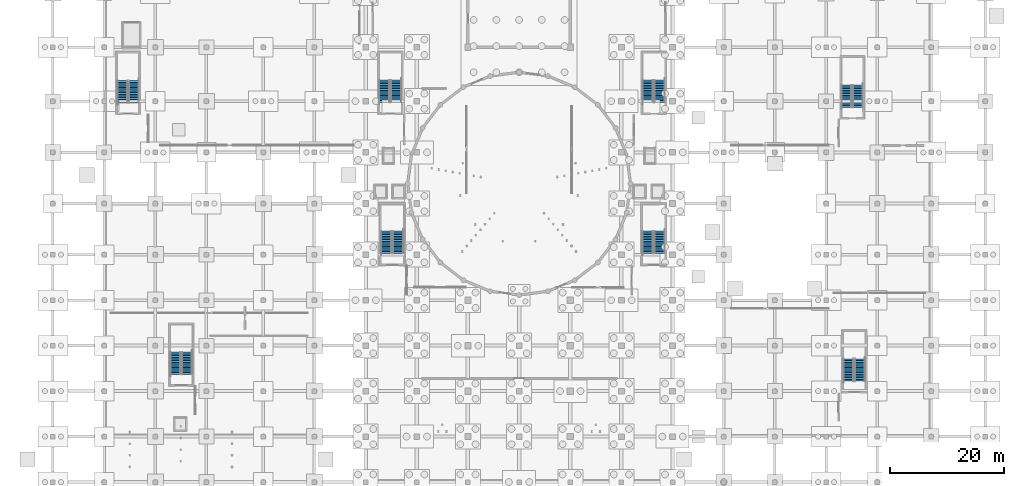
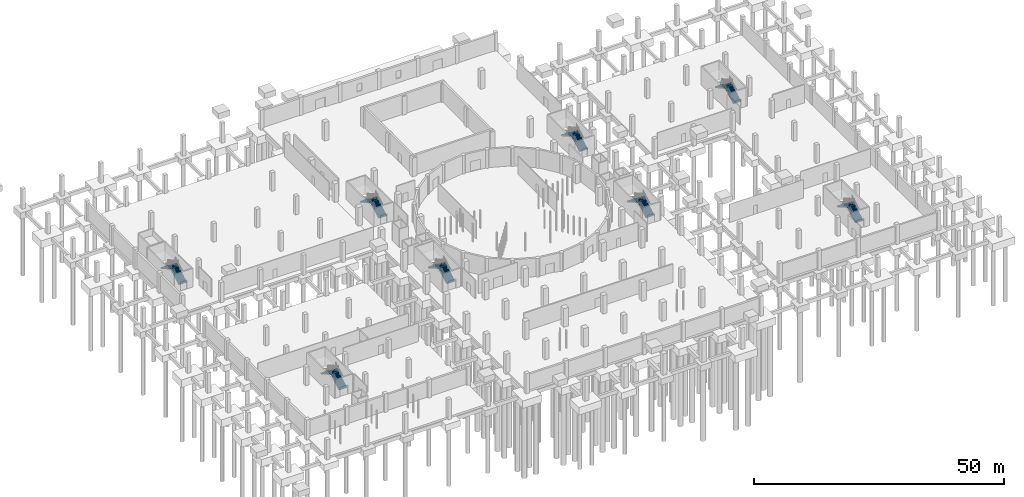
# One storey, part 33 of 40: 16 stair flights, 8 elements without a shape of their own.
"""IFC4 building model written with IfcOpenShell, lengths in metres."""

from ifc_helpers import new_model, si_unit, direction, frame, origin, place, context, subcontext, project, spatial, polyline, outline, extrude, material, type_object, element, aggregate, save


model = new_model("IFC4")

# Units and contexts
model_context = context("Model", 3, precision=1e-05, world=origin(), true_north=direction((0.0, 1.0)))
body_context = subcontext(model_context, "Body", "Model", "MODEL_VIEW")
ifc_project = project(units=[si_unit("LENGTHUNIT", "METRE"), si_unit("AREAUNIT", "SQUARE_METRE"), si_unit("VOLUMEUNIT", "CUBIC_METRE"), si_unit("PLANEANGLEUNIT", "RADIAN"), si_unit("MASSUNIT", "GRAM", prefix="KILO")], contexts=[model_context])

# Site, building, storey
site_placement = place(None, origin())
site = spatial("IfcSite", under=ifc_project, at=site_placement, CompositionType="ELEMENT")
building_placement = place(site_placement, origin())
building = spatial("IfcBuilding", under=site, at=building_placement, Name="Marnock Terrace Opera House", CompositionType="ELEMENT")
storey_placement = place(building_placement, frame((0.0, 0.0, -4.800048828125)))
storey = spatial("IfcBuildingStorey", under=building, at=storey_placement, Name="B1", CompositionType="ELEMENT", Elevation=-4.800048828125)

# Stair, stair flights
ifc_material = material(Name="Concrete N40 (f'c = 40 MPa)", Category="concrete")
stair_type_1 = type_object("IfcStairType", Name="ST-TYPE-2000", PredefinedType="HALF_TURN_STAIR", material=ifc_material)
stair_1_placement = place(storey_placement, origin())
stair_1 = element("IfcStair", 1, at=stair_1_placement, inside=storey, type_object=stair_type_1, Name="B1 ST-07", PredefinedType="HALF_TURN_STAIR")
stair_flight_type_1 = type_object("IfcStairFlightType", Name="FLT-TYPE-2000", PredefinedType="STRAIGHT", material=ifc_material)
stair_flight_1_placement = place(storey_placement, frame((14.219970703125, 74.719970703125, 0.0), z_axis=(0.0, 0.0, 1.0), x_axis=(0.0, 1.0, 0.0)))
stair_flight_1 = element("IfcStairFlight", 2, at=stair_flight_1_placement, type_object=stair_flight_type_1, Name="ST-07 flight 1", NumberOfRisers=14, NumberOfTreads=13, PredefinedType="STRAIGHT", RiserHeight=0.171428571, TreadLength=0.3, context=body_context, shape_type="SweptSolid", body=[
    extrude(outline(polyline([(-0.00048828125, -0.06005859375), (-0.00048828125, 0.0), (0.0, 0.0), (0.0, 0.17138671875), (0.300048828125, 0.17138671875), (0.300048828125, 0.3427734375), (0.60009765625, 0.3427734375), (0.60009765625, 0.514404296875), (0.89990234375, 0.514404296875), (0.89990234375, 0.685791015625), (1.199951171875, 0.685791015625), (1.199951171875, 0.857177734375), (1.5, 0.857177734375), (1.5, 1.028564453125), (1.800048828125, 1.028564453125), (1.800048828125, 1.199951171875), (2.10009765625, 1.199951171875), (2.10009765625, 1.371337890625), (2.39990234375, 1.371337890625), (2.39990234375, 1.54296875), (2.699951171875, 1.54296875), (2.699951171875, 1.71435546875), (3.0, 1.71435546875), (3.0, 1.8857421875), (3.300048828125, 1.8857421875), (3.300048828125, 2.05712890625), (3.60009765625, 2.05712890625), (3.60009765625, 2.228515625), (3.89990234375, 2.228515625), (3.89990234375, 2.39990234375), (3.900390625, 2.39990234375), (3.900390625, 2.055908203125), (3.89990234375, 2.055908203125), (0.30224609375, -0.06005859375), (-0.00048828125, -0.06005859375)])), frame((0.0, 0.89990234375, 0.0), z_axis=(0.0, -1.0, 0.0), x_axis=(1.0, 0.0, 0.0)), (0.0, 0.0, 1.0), 1.800048828125),
])
stair_flight_2_placement = place(storey_placement, frame((12.219970703125, 78.6201171875, 2.400146484375), z_axis=(0.0, 0.0, 1.0), x_axis=(0.0, -1.0, 0.0)))
stair_flight_2 = element("IfcStairFlight", 3, at=stair_flight_2_placement, type_object=stair_flight_type_1, Name="ST-07 flight 2", NumberOfRisers=14, NumberOfTreads=13, PredefinedType="STRAIGHT", RiserHeight=0.171428571, TreadLength=0.3, context=body_context, shape_type="SweptSolid", body=[
    extrude(outline(polyline([(-0.00048828125, -0.06005859375), (-0.00048828125, 0.0), (0.0, 0.0), (0.0, 0.17138671875), (0.300048828125, 0.17138671875), (0.300048828125, 0.3427734375), (0.60009765625, 0.3427734375), (0.60009765625, 0.514404296875), (0.89990234375, 0.514404296875), (0.89990234375, 0.685791015625), (1.199951171875, 0.685791015625), (1.199951171875, 0.857177734375), (1.5, 0.857177734375), (1.5, 1.028564453125), (1.800048828125, 1.028564453125), (1.800048828125, 1.199951171875), (2.10009765625, 1.199951171875), (2.10009765625, 1.371337890625), (2.39990234375, 1.371337890625), (2.39990234375, 1.54296875), (2.699951171875, 1.54296875), (2.699951171875, 1.71435546875), (3.0, 1.71435546875), (3.0, 1.8857421875), (3.300048828125, 1.8857421875), (3.300048828125, 2.05712890625), (3.60009765625, 2.05712890625), (3.60009765625, 2.228515625), (3.89990234375, 2.228515625), (3.89990234375, 2.39990234375), (3.900390625, 2.39990234375), (3.900390625, 2.055908203125), (3.89990234375, 2.055908203125), (0.30224609375, -0.06005859375), (-0.00048828125, -0.06005859375)])), frame((0.0, 0.89990234375, 0.0), z_axis=(0.0, -1.0, 0.0), x_axis=(1.0, 0.0, 0.0)), (0.0, 0.0, 1.0), 1.800048828125),
])
aggregate(stair_1, [stair_flight_1, stair_flight_2])

stair_2_placement = place(storey_placement, origin())
stair_2 = element("IfcStair", 4, at=stair_2_placement, inside=storey, type_object=stair_type_1, Name="B1 ST-08", PredefinedType="HALF_TURN_STAIR")
stair_flight_3_placement = place(storey_placement, frame((141.6201171875, 73.919921875, 0.0), z_axis=(0.0, 0.0, 1.0), x_axis=(0.0, 1.0, 0.0)))
stair_flight_3 = element("IfcStairFlight", 5, at=stair_flight_3_placement, type_object=stair_flight_type_1, Name="ST-08 flight 1", NumberOfRisers=14, NumberOfTreads=13, PredefinedType="STRAIGHT", RiserHeight=0.171428571, TreadLength=0.3, context=body_context, shape_type="SweptSolid", body=[
    extrude(outline(polyline([(-0.00048828125, -0.06005859375), (-0.00048828125, 0.0), (0.0, 0.0), (0.0, 0.17138671875), (0.300048828125, 0.17138671875), (0.300048828125, 0.3427734375), (0.60009765625, 0.3427734375), (0.60009765625, 0.514404296875), (0.89990234375, 0.514404296875), (0.89990234375, 0.685791015625), (1.199951171875, 0.685791015625), (1.199951171875, 0.857177734375), (1.5, 0.857177734375), (1.5, 1.028564453125), (1.800048828125, 1.028564453125), (1.800048828125, 1.199951171875), (2.10009765625, 1.199951171875), (2.10009765625, 1.371337890625), (2.39990234375, 1.371337890625), (2.39990234375, 1.54296875), (2.699951171875, 1.54296875), (2.699951171875, 1.71435546875), (3.0, 1.71435546875), (3.0, 1.8857421875), (3.300048828125, 1.8857421875), (3.300048828125, 2.05712890625), (3.60009765625, 2.05712890625), (3.60009765625, 2.228515625), (3.89990234375, 2.228515625), (3.89990234375, 2.39990234375), (3.900390625, 2.39990234375), (3.900390625, 2.055908203125), (3.89990234375, 2.055908203125), (0.30224609375, -0.06005859375), (-0.00048828125, -0.06005859375)])), frame((0.0, 0.89990234375, 0.0), z_axis=(0.0, -1.0, 0.0), x_axis=(1.0, 0.0, 0.0)), (0.0, 0.0, 1.0), 1.800048828125),
])
stair_flight_4_placement = place(storey_placement, frame((139.6201171875, 77.820068359375, 2.400146484375), z_axis=(0.0, 0.0, 1.0), x_axis=(0.0, -1.0, 0.0)))
stair_flight_4 = element("IfcStairFlight", 6, at=stair_flight_4_placement, type_object=stair_flight_type_1, Name="ST-08 flight 2", NumberOfRisers=14, NumberOfTreads=13, PredefinedType="STRAIGHT", RiserHeight=0.171428571, TreadLength=0.3, context=body_context, shape_type="SweptSolid", body=[
    extrude(outline(polyline([(-0.00048828125, -0.06005859375), (-0.00048828125, 0.0), (0.0, 0.0), (0.0, 0.17138671875), (0.300048828125, 0.17138671875), (0.300048828125, 0.3427734375), (0.60009765625, 0.3427734375), (0.60009765625, 0.514404296875), (0.89990234375, 0.514404296875), (0.89990234375, 0.685791015625), (1.199951171875, 0.685791015625), (1.199951171875, 0.857177734375), (1.5, 0.857177734375), (1.5, 1.028564453125), (1.800048828125, 1.028564453125), (1.800048828125, 1.199951171875), (2.10009765625, 1.199951171875), (2.10009765625, 1.371337890625), (2.39990234375, 1.371337890625), (2.39990234375, 1.54296875), (2.699951171875, 1.54296875), (2.699951171875, 1.71435546875), (3.0, 1.71435546875), (3.0, 1.8857421875), (3.300048828125, 1.8857421875), (3.300048828125, 2.05712890625), (3.60009765625, 2.05712890625), (3.60009765625, 2.228515625), (3.89990234375, 2.228515625), (3.89990234375, 2.39990234375), (3.900390625, 2.39990234375), (3.900390625, 2.055908203125), (3.89990234375, 2.055908203125), (0.30224609375, -0.06005859375), (-0.00048828125, -0.06005859375)])), frame((0.0, 0.89990234375, 0.0), z_axis=(0.0, -1.0, 0.0), x_axis=(1.0, 0.0, 0.0)), (0.0, 0.0, 1.0), 1.800048828125),
])
aggregate(stair_2, [stair_flight_3, stair_flight_4])

stair_type_2 = type_object("IfcStairType", Name="ST-TYPE-2200", PredefinedType="HALF_TURN_STAIR", material=ifc_material)
stair_3_placement = place(storey_placement, origin())
stair_3 = element("IfcStair", 7, at=stair_3_placement, inside=storey, type_object=stair_type_2, Name="B1 ST-05", PredefinedType="HALF_TURN_STAIR")
stair_flight_type_2 = type_object("IfcStairFlightType", Name="FLT-TYPE-2200", PredefinedType="STRAIGHT", material=ifc_material)
stair_flight_5_placement = place(storey_placement, frame((23.60009765625, 26.9599609375, 0.0), z_axis=(0.0, 0.0, 1.0), x_axis=(0.0, 1.0, 0.0)))
stair_flight_5 = element("IfcStairFlight", 8, at=stair_flight_5_placement, type_object=stair_flight_type_2, Name="ST-05 flight 1", NumberOfRisers=14, NumberOfTreads=13, PredefinedType="STRAIGHT", RiserHeight=0.171428571, TreadLength=0.3, context=body_context, shape_type="SweptSolid", body=[
    extrude(outline(polyline([(-0.00048828125, -0.06005859375), (-0.00048828125, 0.0), (0.0, 0.0), (0.0, 0.17138671875), (0.300048828125, 0.17138671875), (0.300048828125, 0.3427734375), (0.60009765625, 0.3427734375), (0.60009765625, 0.514404296875), (0.89990234375, 0.514404296875), (0.89990234375, 0.685791015625), (1.199951171875, 0.685791015625), (1.199951171875, 0.857177734375), (1.5, 0.857177734375), (1.5, 1.028564453125), (1.800048828125, 1.028564453125), (1.800048828125, 1.199951171875), (2.10009765625, 1.199951171875), (2.10009765625, 1.371337890625), (2.39990234375, 1.371337890625), (2.39990234375, 1.54296875), (2.699951171875, 1.54296875), (2.699951171875, 1.71435546875), (3.0, 1.71435546875), (3.0, 1.8857421875), (3.300048828125, 1.8857421875), (3.300048828125, 2.05712890625), (3.60009765625, 2.05712890625), (3.60009765625, 2.228515625), (3.89990234375, 2.228515625), (3.89990234375, 2.39990234375), (3.900390625, 2.39990234375), (3.900390625, 2.055908203125), (3.89990234375, 2.055908203125), (0.30224609375, -0.06005859375), (-0.00048828125, -0.06005859375)])), frame((0.0, 0.919921875, 0.0), z_axis=(0.0, -1.0, 0.0), x_axis=(1.0, 0.0, 0.0)), (0.0, 0.0, 1.0), 1.840087890625),
])
stair_flight_6_placement = place(storey_placement, frame((21.56005859375, 30.860107421875, 2.400146484375), z_axis=(0.0, 0.0, 1.0), x_axis=(0.0, -1.0, 0.0)))
stair_flight_6 = element("IfcStairFlight", 9, at=stair_flight_6_placement, type_object=stair_flight_type_2, Name="ST-05 flight 2", NumberOfRisers=14, NumberOfTreads=13, PredefinedType="STRAIGHT", RiserHeight=0.171428571, TreadLength=0.3, context=body_context, shape_type="SweptSolid", body=[
    extrude(outline(polyline([(-0.00048828125, -0.06005859375), (-0.00048828125, 0.0), (0.0, 0.0), (0.0, 0.17138671875), (0.300048828125, 0.17138671875), (0.300048828125, 0.3427734375), (0.60009765625, 0.3427734375), (0.60009765625, 0.514404296875), (0.89990234375, 0.514404296875), (0.89990234375, 0.685791015625), (1.199951171875, 0.685791015625), (1.199951171875, 0.857177734375), (1.5, 0.857177734375), (1.5, 1.028564453125), (1.800048828125, 1.028564453125), (1.800048828125, 1.199951171875), (2.10009765625, 1.199951171875), (2.10009765625, 1.371337890625), (2.39990234375, 1.371337890625), (2.39990234375, 1.54296875), (2.699951171875, 1.54296875), (2.699951171875, 1.71435546875), (3.0, 1.71435546875), (3.0, 1.8857421875), (3.300048828125, 1.8857421875), (3.300048828125, 2.05712890625), (3.60009765625, 2.05712890625), (3.60009765625, 2.228515625), (3.89990234375, 2.228515625), (3.89990234375, 2.39990234375), (3.900390625, 2.39990234375), (3.900390625, 2.055908203125), (3.89990234375, 2.055908203125), (0.30224609375, -0.06005859375), (-0.00048828125, -0.06005859375)])), frame((0.0, 0.919921875, 0.0), z_axis=(0.0, -1.0, 0.0), x_axis=(1.0, 0.0, 0.0)), (0.0, 0.0, 1.0), 1.840087890625),
])
aggregate(stair_3, [stair_flight_5, stair_flight_6])

stair_4_placement = place(storey_placement, origin())
stair_4 = element("IfcStair", 10, at=stair_4_placement, inside=storey, type_object=stair_type_2, Name="B1 ST-06", PredefinedType="HALF_TURN_STAIR")
stair_flight_7_placement = place(storey_placement, frame((142.0, 25.760009765625, 0.0), z_axis=(0.0, 0.0, 1.0), x_axis=(0.0, 1.0, 0.0)))
stair_flight_7 = element("IfcStairFlight", 11, at=stair_flight_7_placement, type_object=stair_flight_type_2, Name="ST-06 flight 1", NumberOfRisers=14, NumberOfTreads=13, PredefinedType="STRAIGHT", RiserHeight=0.171428571, TreadLength=0.3, context=body_context, shape_type="SweptSolid", body=[
    extrude(outline(polyline([(-0.00048828125, -0.06005859375), (-0.00048828125, 0.0), (0.0, 0.0), (0.0, 0.17138671875), (0.300048828125, 0.17138671875), (0.300048828125, 0.3427734375), (0.60009765625, 0.3427734375), (0.60009765625, 0.514404296875), (0.89990234375, 0.514404296875), (0.89990234375, 0.685791015625), (1.199951171875, 0.685791015625), (1.199951171875, 0.857177734375), (1.5, 0.857177734375), (1.5, 1.028564453125), (1.800048828125, 1.028564453125), (1.800048828125, 1.199951171875), (2.10009765625, 1.199951171875), (2.10009765625, 1.371337890625), (2.39990234375, 1.371337890625), (2.39990234375, 1.54296875), (2.699951171875, 1.54296875), (2.699951171875, 1.71435546875), (3.0, 1.71435546875), (3.0, 1.8857421875), (3.300048828125, 1.8857421875), (3.300048828125, 2.05712890625), (3.60009765625, 2.05712890625), (3.60009765625, 2.228515625), (3.89990234375, 2.228515625), (3.89990234375, 2.39990234375), (3.900390625, 2.39990234375), (3.900390625, 2.055908203125), (3.89990234375, 2.055908203125), (0.30224609375, -0.06005859375), (-0.00048828125, -0.06005859375)])), frame((0.0, 0.919921875, 0.0), z_axis=(0.0, -1.0, 0.0), x_axis=(1.0, 0.0, 0.0)), (0.0, 0.0, 1.0), 1.840087890625),
])
stair_flight_8_placement = place(storey_placement, frame((139.9599609375, 29.659912109375, 2.400146484375), z_axis=(0.0, 0.0, 1.0), x_axis=(0.0, -1.0, 0.0)))
stair_flight_8 = element("IfcStairFlight", 12, at=stair_flight_8_placement, type_object=stair_flight_type_2, Name="ST-06 flight 2", NumberOfRisers=14, NumberOfTreads=13, PredefinedType="STRAIGHT", RiserHeight=0.171428571, TreadLength=0.3, context=body_context, shape_type="SweptSolid", body=[
    extrude(outline(polyline([(-0.00048828125, -0.06005859375), (-0.00048828125, 0.0), (0.0, 0.0), (0.0, 0.17138671875), (0.300048828125, 0.17138671875), (0.300048828125, 0.3427734375), (0.60009765625, 0.3427734375), (0.60009765625, 0.514404296875), (0.89990234375, 0.514404296875), (0.89990234375, 0.685791015625), (1.199951171875, 0.685791015625), (1.199951171875, 0.857177734375), (1.5, 0.857177734375), (1.5, 1.028564453125), (1.800048828125, 1.028564453125), (1.800048828125, 1.199951171875), (2.10009765625, 1.199951171875), (2.10009765625, 1.371337890625), (2.39990234375, 1.371337890625), (2.39990234375, 1.54296875), (2.699951171875, 1.54296875), (2.699951171875, 1.71435546875), (3.0, 1.71435546875), (3.0, 1.8857421875), (3.300048828125, 1.8857421875), (3.300048828125, 2.05712890625), (3.60009765625, 2.05712890625), (3.60009765625, 2.228515625), (3.89990234375, 2.228515625), (3.89990234375, 2.39990234375), (3.900390625, 2.39990234375), (3.900390625, 2.055908203125), (3.89990234375, 2.055908203125), (0.30224609375, -0.06005859375), (-0.00048828125, -0.06005859375)])), frame((0.0, 0.919921875, 0.0), z_axis=(0.0, -1.0, 0.0), x_axis=(1.0, 0.0, 0.0)), (0.0, 0.0, 1.0), 1.840087890625),
])
aggregate(stair_4, [stair_flight_7, stair_flight_8])

stair_type_3 = type_object("IfcStairType", Name="ST-TYPE-2400", PredefinedType="HALF_TURN_STAIR", material=ifc_material)
stair_5_placement = place(storey_placement, origin())
stair_5 = element("IfcStair", 13, at=stair_5_placement, inside=storey, type_object=stair_type_3, Name="B1 ST-03", PredefinedType="HALF_TURN_STAIR")
stair_flight_type_3 = type_object("IfcStairFlightType", Name="FLT-TYPE-2400", PredefinedType="STRAIGHT", material=ifc_material)
stair_flight_9_placement = place(storey_placement, frame((60.3798828125, 74.800048828125, 0.0), z_axis=(0.0, 0.0, 1.0), x_axis=(0.0, 1.0, 0.0)))
stair_flight_9 = element("IfcStairFlight", 14, at=stair_flight_9_placement, type_object=stair_flight_type_3, Name="ST-03 flight 1", NumberOfRisers=14, NumberOfTreads=13, PredefinedType="STRAIGHT", RiserHeight=0.171428571, TreadLength=0.3, context=body_context, shape_type="SweptSolid", body=[
    extrude(outline(polyline([(-0.00048828125, -0.06005859375), (-0.00048828125, 0.0), (0.0, 0.0), (0.0, 0.17138671875), (0.300048828125, 0.17138671875), (0.300048828125, 0.3427734375), (0.60009765625, 0.3427734375), (0.60009765625, 0.514404296875), (0.89990234375, 0.514404296875), (0.89990234375, 0.685791015625), (1.199951171875, 0.685791015625), (1.199951171875, 0.857177734375), (1.5, 0.857177734375), (1.5, 1.028564453125), (1.800048828125, 1.028564453125), (1.800048828125, 1.199951171875), (2.10009765625, 1.199951171875), (2.10009765625, 1.371337890625), (2.39990234375, 1.371337890625), (2.39990234375, 1.54296875), (2.699951171875, 1.54296875), (2.699951171875, 1.71435546875), (3.0, 1.71435546875), (3.0, 1.8857421875), (3.300048828125, 1.8857421875), (3.300048828125, 2.05712890625), (3.60009765625, 2.05712890625), (3.60009765625, 2.228515625), (3.89990234375, 2.228515625), (3.89990234375, 2.39990234375), (3.900390625, 2.39990234375), (3.900390625, 2.055908203125), (3.89990234375, 2.055908203125), (0.30224609375, -0.06005859375), (-0.00048828125, -0.06005859375)])), frame((0.0, 0.93994140625, 0.0), z_axis=(0.0, -1.0, 0.0), x_axis=(1.0, 0.0, 0.0)), (0.0, 0.0, 1.0), 1.8798828125),
])
stair_flight_10_placement = place(storey_placement, frame((58.300048828125, 78.699951171875, 2.400146484375), z_axis=(0.0, 0.0, 1.0), x_axis=(0.0, -1.0, 0.0)))
stair_flight_10 = element("IfcStairFlight", 15, at=stair_flight_10_placement, type_object=stair_flight_type_3, Name="ST-03 flight 2", NumberOfRisers=14, NumberOfTreads=13, PredefinedType="STRAIGHT", RiserHeight=0.171428571, TreadLength=0.3, context=body_context, shape_type="SweptSolid", body=[
    extrude(outline(polyline([(-0.00048828125, -0.06005859375), (-0.00048828125, 0.0), (0.0, 0.0), (0.0, 0.17138671875), (0.300048828125, 0.17138671875), (0.300048828125, 0.3427734375), (0.60009765625, 0.3427734375), (0.60009765625, 0.514404296875), (0.89990234375, 0.514404296875), (0.89990234375, 0.685791015625), (1.199951171875, 0.685791015625), (1.199951171875, 0.857177734375), (1.5, 0.857177734375), (1.5, 1.028564453125), (1.800048828125, 1.028564453125), (1.800048828125, 1.199951171875), (2.10009765625, 1.199951171875), (2.10009765625, 1.371337890625), (2.39990234375, 1.371337890625), (2.39990234375, 1.54296875), (2.699951171875, 1.54296875), (2.699951171875, 1.71435546875), (3.0, 1.71435546875), (3.0, 1.8857421875), (3.300048828125, 1.8857421875), (3.300048828125, 2.05712890625), (3.60009765625, 2.05712890625), (3.60009765625, 2.228515625), (3.89990234375, 2.228515625), (3.89990234375, 2.39990234375), (3.900390625, 2.39990234375), (3.900390625, 2.055908203125), (3.89990234375, 2.055908203125), (0.30224609375, -0.06005859375), (-0.00048828125, -0.06005859375)])), frame((0.0, 0.93994140625, 0.0), z_axis=(0.0, -1.0, 0.0), x_axis=(1.0, 0.0, 0.0)), (0.0, 0.0, 1.0), 1.8798828125),
])
aggregate(stair_5, [stair_flight_9, stair_flight_10])

stair_6_placement = place(storey_placement, origin())
stair_6 = element("IfcStair", 16, at=stair_6_placement, inside=storey, type_object=stair_type_3, Name="B1 ST-04", PredefinedType="HALF_TURN_STAIR")
stair_flight_11_placement = place(storey_placement, frame((106.739990234375, 74.800048828125, 0.0), z_axis=(0.0, 0.0, 1.0), x_axis=(0.0, 1.0, 0.0)))
stair_flight_11 = element("IfcStairFlight", 17, at=stair_flight_11_placement, type_object=stair_flight_type_3, Name="ST-04 flight 1", NumberOfRisers=14, NumberOfTreads=13, PredefinedType="STRAIGHT", RiserHeight=0.171428571, TreadLength=0.3, context=body_context, shape_type="SweptSolid", body=[
    extrude(outline(polyline([(-0.00048828125, -0.06005859375), (-0.00048828125, 0.0), (0.0, 0.0), (0.0, 0.17138671875), (0.300048828125, 0.17138671875), (0.300048828125, 0.3427734375), (0.60009765625, 0.3427734375), (0.60009765625, 0.514404296875), (0.89990234375, 0.514404296875), (0.89990234375, 0.685791015625), (1.199951171875, 0.685791015625), (1.199951171875, 0.857177734375), (1.5, 0.857177734375), (1.5, 1.028564453125), (1.800048828125, 1.028564453125), (1.800048828125, 1.199951171875), (2.10009765625, 1.199951171875), (2.10009765625, 1.371337890625), (2.39990234375, 1.371337890625), (2.39990234375, 1.54296875), (2.699951171875, 1.54296875), (2.699951171875, 1.71435546875), (3.0, 1.71435546875), (3.0, 1.8857421875), (3.300048828125, 1.8857421875), (3.300048828125, 2.05712890625), (3.60009765625, 2.05712890625), (3.60009765625, 2.228515625), (3.89990234375, 2.228515625), (3.89990234375, 2.39990234375), (3.900390625, 2.39990234375), (3.900390625, 2.055908203125), (3.89990234375, 2.055908203125), (0.30224609375, -0.06005859375), (-0.00048828125, -0.06005859375)])), frame((0.0, 0.93994140625, 0.0), z_axis=(0.0, -1.0, 0.0), x_axis=(1.0, 0.0, 0.0)), (0.0, 0.0, 1.0), 1.8798828125),
])
stair_flight_12_placement = place(storey_placement, frame((104.659912109375, 78.699951171875, 2.400146484375), z_axis=(0.0, 0.0, 1.0), x_axis=(0.0, -1.0, 0.0)))
stair_flight_12 = element("IfcStairFlight", 18, at=stair_flight_12_placement, type_object=stair_flight_type_3, Name="ST-04 flight 2", NumberOfRisers=14, NumberOfTreads=13, PredefinedType="STRAIGHT", RiserHeight=0.171428571, TreadLength=0.3, context=body_context, shape_type="SweptSolid", body=[
    extrude(outline(polyline([(-0.00048828125, -0.06005859375), (-0.00048828125, 0.0), (0.0, 0.0), (0.0, 0.17138671875), (0.300048828125, 0.17138671875), (0.300048828125, 0.3427734375), (0.60009765625, 0.3427734375), (0.60009765625, 0.514404296875), (0.89990234375, 0.514404296875), (0.89990234375, 0.685791015625), (1.199951171875, 0.685791015625), (1.199951171875, 0.857177734375), (1.5, 0.857177734375), (1.5, 1.028564453125), (1.800048828125, 1.028564453125), (1.800048828125, 1.199951171875), (2.10009765625, 1.199951171875), (2.10009765625, 1.371337890625), (2.39990234375, 1.371337890625), (2.39990234375, 1.54296875), (2.699951171875, 1.54296875), (2.699951171875, 1.71435546875), (3.0, 1.71435546875), (3.0, 1.8857421875), (3.300048828125, 1.8857421875), (3.300048828125, 2.05712890625), (3.60009765625, 2.05712890625), (3.60009765625, 2.228515625), (3.89990234375, 2.228515625), (3.89990234375, 2.39990234375), (3.900390625, 2.39990234375), (3.900390625, 2.055908203125), (3.89990234375, 2.055908203125), (0.30224609375, -0.06005859375), (-0.00048828125, -0.06005859375)])), frame((0.0, 0.93994140625, 0.0), z_axis=(0.0, -1.0, 0.0), x_axis=(1.0, 0.0, 0.0)), (0.0, 0.0, 1.0), 1.8798828125),
])
aggregate(stair_6, [stair_flight_11, stair_flight_12])

stair_type_4 = type_object("IfcStairType", Name="ST-TYPE-2600", PredefinedType="HALF_TURN_STAIR", material=ifc_material)
stair_7_placement = place(storey_placement, origin())
stair_7 = element("IfcStair", 19, at=stair_7_placement, inside=storey, type_object=stair_type_4, Name="B1 ST-01", PredefinedType="HALF_TURN_STAIR")
stair_flight_type_4 = type_object("IfcStairFlightType", Name="FLT-TYPE-2600", PredefinedType="STRAIGHT", material=ifc_material)
stair_flight_13_placement = place(storey_placement, frame((60.760009765625, 48.239990234375, 0.0), z_axis=(0.0, 0.0, 1.0), x_axis=(0.0, 1.0, 0.0)))
stair_flight_13 = element("IfcStairFlight", 20, at=stair_flight_13_placement, type_object=stair_flight_type_4, Name="ST-01 flight 1", NumberOfRisers=14, NumberOfTreads=13, PredefinedType="STRAIGHT", RiserHeight=0.171428571, TreadLength=0.3, context=body_context, shape_type="SweptSolid", body=[
    extrude(outline(polyline([(-0.00048828125, -0.06005859375), (-0.00048828125, 0.0), (0.0, 0.0), (0.0, 0.17138671875), (0.300048828125, 0.17138671875), (0.300048828125, 0.3427734375), (0.60009765625, 0.3427734375), (0.60009765625, 0.514404296875), (0.89990234375, 0.514404296875), (0.89990234375, 0.685791015625), (1.199951171875, 0.685791015625), (1.199951171875, 0.857177734375), (1.5, 0.857177734375), (1.5, 1.028564453125), (1.800048828125, 1.028564453125), (1.800048828125, 1.199951171875), (2.10009765625, 1.199951171875), (2.10009765625, 1.371337890625), (2.39990234375, 1.371337890625), (2.39990234375, 1.54296875), (2.699951171875, 1.54296875), (2.699951171875, 1.71435546875), (3.0, 1.71435546875), (3.0, 1.8857421875), (3.300048828125, 1.8857421875), (3.300048828125, 2.05712890625), (3.60009765625, 2.05712890625), (3.60009765625, 2.228515625), (3.89990234375, 2.228515625), (3.89990234375, 2.39990234375), (3.900390625, 2.39990234375), (3.900390625, 2.055908203125), (3.89990234375, 2.055908203125), (0.30224609375, -0.06005859375), (-0.00048828125, -0.06005859375)])), frame((0.0, 0.9599609375, 0.0), z_axis=(0.0, -1.0, 0.0), x_axis=(1.0, 0.0, 0.0)), (0.0, 0.0, 1.0), 1.919921875),
])
stair_flight_14_placement = place(storey_placement, frame((58.639892578125, 52.139892578125, 2.400146484375), z_axis=(0.0, 0.0, 1.0), x_axis=(0.0, -1.0, 0.0)))
stair_flight_14 = element("IfcStairFlight", 21, at=stair_flight_14_placement, type_object=stair_flight_type_4, Name="ST-01 flight 2", NumberOfRisers=14, NumberOfTreads=13, PredefinedType="STRAIGHT", RiserHeight=0.171428571, TreadLength=0.3, context=body_context, shape_type="SweptSolid", body=[
    extrude(outline(polyline([(-0.00048828125, -0.06005859375), (-0.00048828125, 0.0), (0.0, 0.0), (0.0, 0.17138671875), (0.300048828125, 0.17138671875), (0.300048828125, 0.3427734375), (0.60009765625, 0.3427734375), (0.60009765625, 0.514404296875), (0.89990234375, 0.514404296875), (0.89990234375, 0.685791015625), (1.199951171875, 0.685791015625), (1.199951171875, 0.857177734375), (1.5, 0.857177734375), (1.5, 1.028564453125), (1.800048828125, 1.028564453125), (1.800048828125, 1.199951171875), (2.10009765625, 1.199951171875), (2.10009765625, 1.371337890625), (2.39990234375, 1.371337890625), (2.39990234375, 1.54296875), (2.699951171875, 1.54296875), (2.699951171875, 1.71435546875), (3.0, 1.71435546875), (3.0, 1.8857421875), (3.300048828125, 1.8857421875), (3.300048828125, 2.05712890625), (3.60009765625, 2.05712890625), (3.60009765625, 2.228515625), (3.89990234375, 2.228515625), (3.89990234375, 2.39990234375), (3.900390625, 2.39990234375), (3.900390625, 2.055908203125), (3.89990234375, 2.055908203125), (0.30224609375, -0.06005859375), (-0.00048828125, -0.06005859375)])), frame((0.0, 0.9599609375, 0.0), z_axis=(0.0, -1.0, 0.0), x_axis=(1.0, 0.0, 0.0)), (0.0, 0.0, 1.0), 1.919921875),
])
aggregate(stair_7, [stair_flight_13, stair_flight_14])

stair_8_placement = place(storey_placement, origin())
stair_8 = element("IfcStair", 22, at=stair_8_placement, inside=storey, type_object=stair_type_4, Name="B1 ST-02", PredefinedType="HALF_TURN_STAIR")
stair_flight_15_placement = place(storey_placement, frame((106.719970703125, 48.239990234375, 0.0), z_axis=(0.0, 0.0, 1.0), x_axis=(0.0, 1.0, 0.0)))
stair_flight_15 = element("IfcStairFlight", 23, at=stair_flight_15_placement, type_object=stair_flight_type_4, Name="ST-02 flight 1", NumberOfRisers=14, NumberOfTreads=13, PredefinedType="STRAIGHT", RiserHeight=0.171428571, TreadLength=0.3, context=body_context, shape_type="SweptSolid", body=[
    extrude(outline(polyline([(-0.00048828125, -0.06005859375), (-0.00048828125, 0.0), (0.0, 0.0), (0.0, 0.17138671875), (0.300048828125, 0.17138671875), (0.300048828125, 0.3427734375), (0.60009765625, 0.3427734375), (0.60009765625, 0.514404296875), (0.89990234375, 0.514404296875), (0.89990234375, 0.685791015625), (1.199951171875, 0.685791015625), (1.199951171875, 0.857177734375), (1.5, 0.857177734375), (1.5, 1.028564453125), (1.800048828125, 1.028564453125), (1.800048828125, 1.199951171875), (2.10009765625, 1.199951171875), (2.10009765625, 1.371337890625), (2.39990234375, 1.371337890625), (2.39990234375, 1.54296875), (2.699951171875, 1.54296875), (2.699951171875, 1.71435546875), (3.0, 1.71435546875), (3.0, 1.8857421875), (3.300048828125, 1.8857421875), (3.300048828125, 2.05712890625), (3.60009765625, 2.05712890625), (3.60009765625, 2.228515625), (3.89990234375, 2.228515625), (3.89990234375, 2.39990234375), (3.900390625, 2.39990234375), (3.900390625, 2.055908203125), (3.89990234375, 2.055908203125), (0.30224609375, -0.06005859375), (-0.00048828125, -0.06005859375)])), frame((0.0, 0.9599609375, 0.0), z_axis=(0.0, -1.0, 0.0), x_axis=(1.0, 0.0, 0.0)), (0.0, 0.0, 1.0), 1.919921875),
])
stair_flight_16_placement = place(storey_placement, frame((104.60009765625, 52.139892578125, 2.400146484375), z_axis=(0.0, 0.0, 1.0), x_axis=(0.0, -1.0, 0.0)))
stair_flight_16 = element("IfcStairFlight", 24, at=stair_flight_16_placement, type_object=stair_flight_type_4, Name="ST-02 flight 2", NumberOfRisers=14, NumberOfTreads=13, PredefinedType="STRAIGHT", RiserHeight=0.171428571, TreadLength=0.3, context=body_context, shape_type="SweptSolid", body=[
    extrude(outline(polyline([(-0.00048828125, -0.06005859375), (-0.00048828125, 0.0), (0.0, 0.0), (0.0, 0.17138671875), (0.300048828125, 0.17138671875), (0.300048828125, 0.3427734375), (0.60009765625, 0.3427734375), (0.60009765625, 0.514404296875), (0.89990234375, 0.514404296875), (0.89990234375, 0.685791015625), (1.199951171875, 0.685791015625), (1.199951171875, 0.857177734375), (1.5, 0.857177734375), (1.5, 1.028564453125), (1.800048828125, 1.028564453125), (1.800048828125, 1.199951171875), (2.10009765625, 1.199951171875), (2.10009765625, 1.371337890625), (2.39990234375, 1.371337890625), (2.39990234375, 1.54296875), (2.699951171875, 1.54296875), (2.699951171875, 1.71435546875), (3.0, 1.71435546875), (3.0, 1.8857421875), (3.300048828125, 1.8857421875), (3.300048828125, 2.05712890625), (3.60009765625, 2.05712890625), (3.60009765625, 2.228515625), (3.89990234375, 2.228515625), (3.89990234375, 2.39990234375), (3.900390625, 2.39990234375), (3.900390625, 2.055908203125), (3.89990234375, 2.055908203125), (0.30224609375, -0.06005859375), (-0.00048828125, -0.06005859375)])), frame((0.0, 0.9599609375, 0.0), z_axis=(0.0, -1.0, 0.0), x_axis=(1.0, 0.0, 0.0)), (0.0, 0.0, 1.0), 1.919921875),
])
aggregate(stair_8, [stair_flight_15, stair_flight_16])

save(model, "model.ifc")
